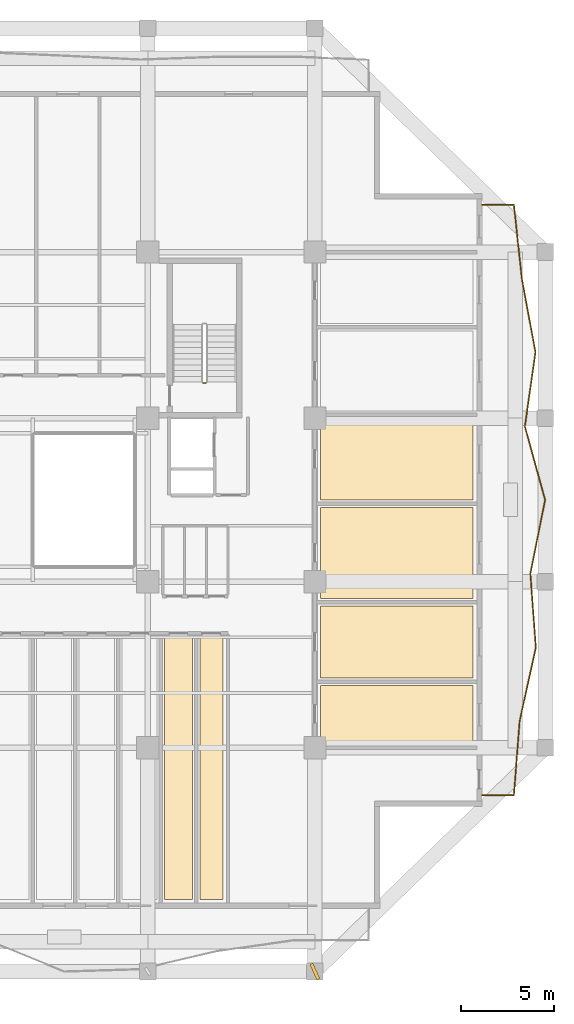
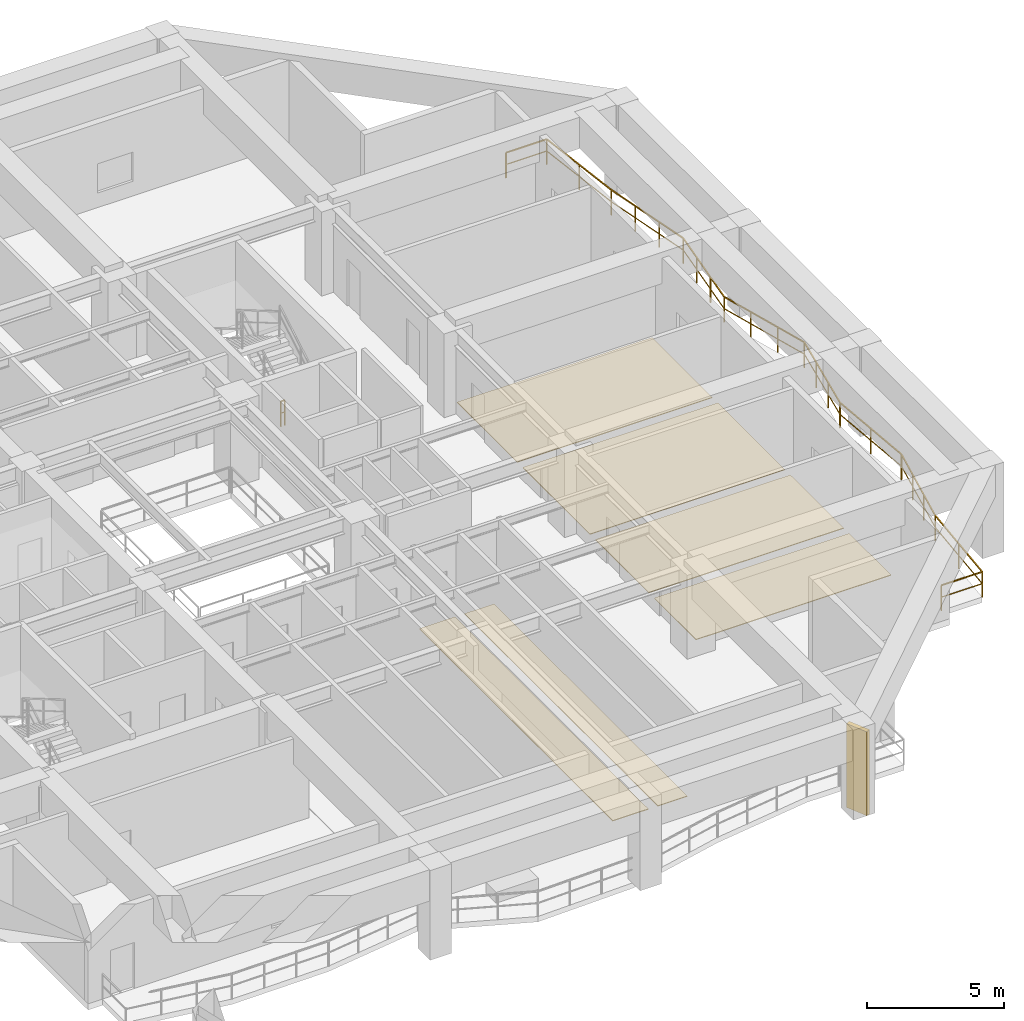
# One storey, part 10 of 13: 6 coverings, 2 railings, 1 shading device.
"""IFC4 building model written with IfcOpenShell, lengths in metres."""

from ifc_helpers import new_model, si_unit, direction, frame, origin, origin_2d, place, context, subcontext, project, spatial, polyline, rectangle, outline, extrude, material, layer, layer_set, type_object, element, save


model = new_model("IFC4")

# Units and contexts
model_context = context("Model", 3, precision=1e-05, world=origin(), true_north=direction((0.0, 1.0)))
body_context = subcontext(model_context, "Body", "Model", "MODEL_VIEW")
ifc_project = project(units=[si_unit("LENGTHUNIT", "METRE"), si_unit("AREAUNIT", "SQUARE_METRE"), si_unit("VOLUMEUNIT", "CUBIC_METRE"), si_unit("PLANEANGLEUNIT", "RADIAN"), si_unit("MASSUNIT", "GRAM", prefix="KILO")], contexts=[model_context])

# Site, building, storey
site_placement = place(None, origin())
site = spatial("IfcSite", under=ifc_project, at=site_placement, CompositionType="ELEMENT")
building_placement = place(site_placement, origin())
building = spatial("IfcBuilding", under=site, at=building_placement, Name="Kundavana Baori Tower", CompositionType="ELEMENT")
storey_placement = place(building_placement, frame((0.0, 0.0, 78.0)))
storey = spatial("IfcBuildingStorey", under=building, at=storey_placement, Name="L18", CompositionType="ELEMENT", Elevation=78.0)

# Coverings
ifc_material_1 = material(Name="Honed Kota Stone and Terrazzo Flooring", Category="masonry")
ifc_layer = layer(ifc_material_1, 0.030029296875, Name="COV-INT-FLR")
ifc_layer_set = layer_set([ifc_layer], Name="Honed Kota Stone and Terrazzo Flooring")
covering_type = type_object("IfcCoveringType", Name="COV-INT-FLR", PredefinedType="FLOORING", material=ifc_layer_set)
covering_1_placement = place(storey_placement, origin())
element("IfcCovering", 1, at=covering_1_placement, inside=storey, type_object=covering_type, Name="L18 Room Finished Stone Flooring 11", PredefinedType="FLOORING", context=body_context, shape_type="SweptSolid", body=[
    extrude(outline(polyline([(34.699951171875, 7.080078125), (36.199951171875, 7.080078125), (36.199951171875, 21.199951171875), (34.699951171875, 21.199951171875), (34.699951171875, 7.080078125)])), origin(), (0.0, 0.0, 1.0), 0.030029296875),
])
covering_2_placement = place(storey_placement, origin())
element("IfcCovering", 2, at=covering_2_placement, inside=storey, type_object=covering_type, Name="L18 Room Finished Stone Flooring 12", PredefinedType="FLOORING", context=body_context, shape_type="SweptSolid", body=[
    extrude(outline(polyline([(36.60009765625, 7.080078125), (37.840087890625, 7.080078125), (37.840087890625, 21.199951171875), (36.60009765625, 21.199951171875), (36.60009765625, 7.080078125)])), origin(), (0.0, 0.0, 1.0), 0.030029296875),
])
covering_3_placement = place(storey_placement, origin())
element("IfcCovering", 3, at=covering_3_placement, inside=storey, type_object=covering_type, Name="L18 Room Finished Stone Flooring 13", PredefinedType="FLOORING", context=body_context, shape_type="SweptSolid", body=[
    extrude(outline(polyline([(43.10009765625, 15.550048828125), (51.320068359375, 15.550048828125), (51.320068359375, 18.60009765625), (43.10009765625, 18.60009765625), (43.10009765625, 15.550048828125)])), origin(), (0.0, 0.0, 1.0), 0.030029296875),
])
covering_4_placement = place(storey_placement, origin())
element("IfcCovering", 4, at=covering_4_placement, inside=storey, type_object=covering_type, Name="L18 Room Finished Stone Flooring 14", PredefinedType="FLOORING", context=body_context, shape_type="SweptSolid", body=[
    extrude(outline(polyline([(43.10009765625, 19.0), (51.320068359375, 19.0), (51.320068359375, 22.89990234375), (43.10009765625, 22.89990234375), (43.10009765625, 19.0)])), origin(), (0.0, 0.0, 1.0), 0.030029296875),
])
covering_5_placement = place(storey_placement, origin())
element("IfcCovering", 5, at=covering_5_placement, inside=storey, type_object=covering_type, Name="L18 Room Finished Stone Flooring 15", PredefinedType="FLOORING", context=body_context, shape_type="SweptSolid", body=[
    extrude(outline(polyline([(43.10009765625, 23.300048828125), (51.320068359375, 23.300048828125), (51.320068359375, 28.199951171875), (43.10009765625, 28.199951171875), (43.10009765625, 23.300048828125)])), origin(), (0.0, 0.0, 1.0), 0.030029296875),
])
covering_6_placement = place(storey_placement, origin())
element("IfcCovering", 6, at=covering_6_placement, inside=storey, type_object=covering_type, Name="L18 Room Finished Stone Flooring 16", PredefinedType="FLOORING", context=body_context, shape_type="SweptSolid", body=[
    extrude(outline(polyline([(43.10009765625, 28.60009765625), (51.320068359375, 28.60009765625), (51.320068359375, 33.0), (43.10009765625, 33.0), (43.10009765625, 28.60009765625)])), origin(), (0.0, 0.0, 1.0), 0.030029296875),
])

# Railings
ifc_material_2 = material(Name="Architectural Patinated Bronze Metalwork")
railing_type_1 = type_object("IfcRailingType", Name="RL-BAL-1150", PredefinedType="BALUSTRADE", material=ifc_material_2)
railing_1_placement = place(storey_placement, frame((51.800048828125, 44.5, 0.0)))
element("IfcRailing", 7, at=railing_1_placement, inside=storey, type_object=railing_type_1, Name="L18 Loggia Balcony Balustrade E", PredefinedType="BALUSTRADE", context=body_context, shape_type="SweptSolid", body=[
    extrude(rectangle(XDim=0.048095703125, YDim=0.048095703125, at=origin_2d()), frame((0.0, 0.0, 1.1259765625), z_axis=(1.0, 0.0, 0.0), x_axis=(0.0, 1.0, 0.0)), (0.0, 0.0, 1.0), 1.719970703125),
    extrude(rectangle(XDim=0.03125, YDim=0.03125, at=origin_2d()), frame((0.0, 0.0, 0.597900390625), z_axis=(1.0, 0.0, 0.0), x_axis=(0.0, 1.0, 0.0)), (0.0, 0.0, 1.0), 1.719970703125),
    extrude(rectangle(XDim=0.048095703125, YDim=0.048095703125, at=origin_2d()), frame((1.719970703125, 0.0, 1.1259765625), z_axis=(0.10680479883, -0.994280008321, 0.0), x_axis=(0.994280008321, 0.10680479883, 0.0)), (0.0, 0.0, 1.0), 3.998046875),
    extrude(rectangle(XDim=0.03125, YDim=0.03125, at=origin_2d()), frame((1.719970703125, 0.0, 0.597900390625), z_axis=(0.10680479883, -0.994280008321, 0.0), x_axis=(0.994280008321, 0.10680479883, 0.0)), (0.0, 0.0, 1.0), 3.998046875),
    extrude(rectangle(XDim=0.048095703125, YDim=0.048095703125, at=origin_2d()), frame((2.14697265625, -3.97509765625, 1.1259765625), z_axis=(0.182322812683, -0.983238725832, 0.0), x_axis=(0.983238725832, 0.182322812683, 0.0)), (0.0, 0.0, 1.0), 4.042724609375),
    extrude(rectangle(XDim=0.03125, YDim=0.03125, at=origin_2d()), frame((2.14697265625, -3.97509765625, 0.597900390625), z_axis=(0.182322812683, -0.983238725832, 0.0), x_axis=(0.983238725832, 0.182322812683, 0.0)), (0.0, 0.0, 1.0), 4.042724609375),
    extrude(rectangle(XDim=0.048095703125, YDim=0.048095703125, at=origin_2d()), frame((2.884033203125, -7.949951171875, 1.1259765625), z_axis=(-0.142434065639, -0.989804292245, 0.0), x_axis=(0.989804292245, -0.142434065639, 0.0)), (0.0, 0.0, 1.0), 4.01611328125),
    extrude(rectangle(XDim=0.03125, YDim=0.03125, at=origin_2d()), frame((2.884033203125, -7.949951171875, 0.597900390625), z_axis=(-0.142434065639, -0.989804292245, 0.0), x_axis=(0.989804292245, -0.142434065639, 0.0)), (0.0, 0.0, 1.0), 4.01611328125),
    extrude(rectangle(XDim=0.048095703125, YDim=0.048095703125, at=origin_2d()), frame((2.31201171875, -11.925048828125, 1.1259765625), z_axis=(0.263984518347, -0.964526917236, 0.0), x_axis=(0.964526917236, 0.263984518347, 0.0)), (0.0, 0.0, 1.0), 4.12109375),
    extrude(rectangle(XDim=0.03125, YDim=0.03125, at=origin_2d()), frame((2.31201171875, -11.925048828125, 0.597900390625), z_axis=(0.263984518347, -0.964526917236, 0.0), x_axis=(0.964526917236, 0.263984518347, 0.0)), (0.0, 0.0, 1.0), 4.12109375),
    extrude(rectangle(XDim=0.048095703125, YDim=0.048095703125, at=origin_2d()), frame((3.39990234375, -15.89990234375, 1.1259765625), z_axis=(-0.195629631482, -0.980677850921, 0.0), x_axis=(0.980677850921, -0.195629631482, 0.0)), (0.0, 0.0, 1.0), 4.053466796875),
    extrude(rectangle(XDim=0.03125, YDim=0.03125, at=origin_2d()), frame((3.39990234375, -15.89990234375, 0.597900390625), z_axis=(-0.195629631482, -0.980677850921, 0.0), x_axis=(0.980677850921, -0.195629631482, 0.0)), (0.0, 0.0, 1.0), 4.053466796875),
    extrude(rectangle(XDim=0.048095703125, YDim=0.048095703125, at=origin_2d()), frame((2.60693359375, -19.875, 1.1259765625), z_axis=(0.074780812793, -0.997199995005, 0.0), x_axis=(0.997199995005, 0.074780812793, 0.0)), (0.0, 0.0, 1.0), 3.986328125),
    extrude(rectangle(XDim=0.03125, YDim=0.03125, at=origin_2d()), frame((2.60693359375, -19.875, 0.597900390625), z_axis=(0.074780812793, -0.997199995005, 0.0), x_axis=(0.997199995005, 0.074780812793, 0.0)), (0.0, 0.0, 1.0), 3.986328125),
    extrude(rectangle(XDim=0.048095703125, YDim=0.048095703125, at=origin_2d()), frame((2.905029296875, -23.85009765625, 1.1259765625), z_axis=(-0.215958805631, -0.976402475555, 0.0), x_axis=(0.976402475555, -0.215958805631, 0.0)), (0.0, 0.0, 1.0), 4.07080078125),
    extrude(rectangle(XDim=0.03125, YDim=0.03125, at=origin_2d()), frame((2.905029296875, -23.85009765625, 0.597900390625), z_axis=(-0.215958805631, -0.976402475555, 0.0), x_axis=(0.976402475555, -0.215958805631, 0.0)), (0.0, 0.0, 1.0), 4.07080078125),
    extrude(rectangle(XDim=0.048095703125, YDim=0.048095703125, at=origin_2d()), frame((2.02587890625, -27.824951171875, 1.1259765625), z_axis=(-0.076729278358, -0.997051963462, 0.0), x_axis=(0.997051963462, -0.076729278358, 0.0)), (0.0, 0.0, 1.0), 3.98681640625),
    extrude(rectangle(XDim=0.03125, YDim=0.03125, at=origin_2d()), frame((2.02587890625, -27.824951171875, 0.597900390625), z_axis=(-0.076729278358, -0.997051963462, 0.0), x_axis=(0.997051963462, -0.076729278358, 0.0)), (0.0, 0.0, 1.0), 3.98681640625),
    extrude(rectangle(XDim=0.048095703125, YDim=0.048095703125, at=origin_2d()), frame((1.719970703125, -31.800048828125, 1.1259765625), z_axis=(-1.0, 0.0, 0.0), x_axis=(0.0, -1.0, 0.0)), (0.0, 0.0, 1.0), 1.719970703125),
    extrude(rectangle(XDim=0.03125, YDim=0.03125, at=origin_2d()), frame((1.719970703125, -31.800048828125, 0.597900390625), z_axis=(-1.0, 0.0, 0.0), x_axis=(0.0, -1.0, 0.0)), (0.0, 0.0, 1.0), 1.719970703125),
    extrude(rectangle(XDim=0.0419921875, YDim=0.0419921875, at=origin_2d()), origin(), (0.0, 0.0, 1.0), 1.101806640625),
    extrude(rectangle(XDim=0.0419921875, YDim=0.0419921875, at=origin_2d()), frame((1.719970703125, 0.0, 0.0)), (0.0, 0.0, 1.0), 1.101806640625),
    extrude(rectangle(XDim=0.0419921875, YDim=0.0419921875, at=origin_2d()), frame((1.93359375, -1.987548828125, 0.0)), (0.0, 0.0, 1.0), 1.101806640625),
    extrude(rectangle(XDim=0.0419921875, YDim=0.0419921875, at=origin_2d()), frame((2.14697265625, -3.97509765625, 0.0)), (0.0, 0.0, 1.0), 1.101806640625),
    extrude(rectangle(XDim=0.0419921875, YDim=0.0419921875, at=origin_2d()), frame((2.392578125, -5.300048828125, 0.0)), (0.0, 0.0, 1.0), 1.101806640625),
    extrude(rectangle(XDim=0.0419921875, YDim=0.0419921875, at=origin_2d()), frame((2.638427734375, -6.625, 0.0)), (0.0, 0.0, 1.0), 1.101806640625),
    extrude(rectangle(XDim=0.0419921875, YDim=0.0419921875, at=origin_2d()), frame((2.884033203125, -7.949951171875, 0.0)), (0.0, 0.0, 1.0), 1.101806640625),
    extrude(rectangle(XDim=0.0419921875, YDim=0.0419921875, at=origin_2d()), frame((2.693359375, -9.27490234375, 0.0)), (0.0, 0.0, 1.0), 1.101806640625),
    extrude(rectangle(XDim=0.0419921875, YDim=0.0419921875, at=origin_2d()), frame((2.502685546875, -10.60009765625, 0.0)), (0.0, 0.0, 1.0), 1.101806640625),
    extrude(rectangle(XDim=0.0419921875, YDim=0.0419921875, at=origin_2d()), frame((2.31201171875, -11.925048828125, 0.0)), (0.0, 0.0, 1.0), 1.101806640625),
    extrude(rectangle(XDim=0.0419921875, YDim=0.0419921875, at=origin_2d()), frame((2.674560546875, -13.25, 0.0)), (0.0, 0.0, 1.0), 1.101806640625),
    extrude(rectangle(XDim=0.0419921875, YDim=0.0419921875, at=origin_2d()), frame((3.037353515625, -14.574951171875, 0.0)), (0.0, 0.0, 1.0), 1.101806640625),
    extrude(rectangle(XDim=0.0419921875, YDim=0.0419921875, at=origin_2d()), frame((3.39990234375, -15.89990234375, 0.0)), (0.0, 0.0, 1.0), 1.101806640625),
    extrude(rectangle(XDim=0.0419921875, YDim=0.0419921875, at=origin_2d()), frame((3.135498046875, -17.224853515625, 0.0)), (0.0, 0.0, 1.0), 1.101806640625),
    extrude(rectangle(XDim=0.0419921875, YDim=0.0419921875, at=origin_2d()), frame((2.871337890625, -18.550048828125, 0.0)), (0.0, 0.0, 1.0), 1.101806640625),
    extrude(rectangle(XDim=0.0419921875, YDim=0.0419921875, at=origin_2d()), frame((2.60693359375, -19.875, 0.0)), (0.0, 0.0, 1.0), 1.101806640625),
    extrude(rectangle(XDim=0.0419921875, YDim=0.0419921875, at=origin_2d()), frame((2.755859375, -21.862548828125, 0.0)), (0.0, 0.0, 1.0), 1.101806640625),
    extrude(rectangle(XDim=0.0419921875, YDim=0.0419921875, at=origin_2d()), frame((2.905029296875, -23.85009765625, 0.0)), (0.0, 0.0, 1.0), 1.101806640625),
    extrude(rectangle(XDim=0.0419921875, YDim=0.0419921875, at=origin_2d()), frame((2.612060546875, -25.175048828125, 0.0)), (0.0, 0.0, 1.0), 1.101806640625),
    extrude(rectangle(XDim=0.0419921875, YDim=0.0419921875, at=origin_2d()), frame((2.31884765625, -26.5, 0.0)), (0.0, 0.0, 1.0), 1.101806640625),
    extrude(rectangle(XDim=0.0419921875, YDim=0.0419921875, at=origin_2d()), frame((2.02587890625, -27.824951171875, 0.0)), (0.0, 0.0, 1.0), 1.101806640625),
    extrude(rectangle(XDim=0.0419921875, YDim=0.0419921875, at=origin_2d()), frame((1.873046875, -29.8125, 0.0)), (0.0, 0.0, 1.0), 1.101806640625),
    extrude(rectangle(XDim=0.0419921875, YDim=0.0419921875, at=origin_2d()), frame((1.719970703125, -31.800048828125, 0.0)), (0.0, 0.0, 1.0), 1.101806640625),
    extrude(rectangle(XDim=0.0419921875, YDim=0.0419921875, at=origin_2d()), frame((0.0, -31.800048828125, 0.0)), (0.0, 0.0, 1.0), 1.101806640625),
])
ifc_material_3 = material(Name="Architectural Patinated Bronze Metalwork")
railing_type_2 = type_object("IfcRailingType", Name="RL-GRD-1150", PredefinedType="GUARDRAIL", material=ifc_material_3)
railing_2_placement = place(storey_placement, frame((36.929931640625, 34.89990234375, 0.0)))
element("IfcRailing", 8, at=railing_2_placement, inside=storey, type_object=railing_type_2, Name="L18 ST3 stair guard 4", PredefinedType="GUARDRAIL", context=body_context, shape_type="SweptSolid", body=[
    extrude(rectangle(XDim=0.048095703125, YDim=0.048095703125, at=origin_2d()), frame((0.0, 0.0, 1.1259765625), z_axis=(-1.0, 0.0, 0.0), x_axis=(0.0, -1.0, 0.0)), (0.0, 0.0, 1.0), 0.159912109375),
    extrude(rectangle(XDim=0.03125, YDim=0.03125, at=origin_2d()), frame((0.0, 0.0, 0.597900390625), z_axis=(-1.0, 0.0, 0.0), x_axis=(0.0, -1.0, 0.0)), (0.0, 0.0, 1.0), 0.159912109375),
    extrude(rectangle(XDim=0.0419921875, YDim=0.0419921875, at=origin_2d()), origin(), (0.0, 0.0, 1.0), 1.101806640625),
    extrude(rectangle(XDim=0.0419921875, YDim=0.0419921875, at=origin_2d()), frame((-0.159912109375, 0.0, 0.0)), (0.0, 0.0, 1.0), 1.101806640625),
])

# Shading device
ifc_material_4 = material(Name="Red-Buff Dholpur Sandstone Cladding on Concrete C40/50", Category="masonry")
shading_device_type = type_object("IfcShadingDeviceType", Name="SHD-FIN-920", PredefinedType="JALOUSIE", material=ifc_material_4)
shading_device_placement = place(storey_placement, frame((42.800048828125, 3.199951171875, 0.0), z_axis=(0.0, 0.0, 1.0), x_axis=(0.911259575503, 0.411832473288, 0.0)))
element("IfcShadingDevice", 9, at=shading_device_placement, inside=storey, type_object=shading_device_type, Name="L18 Sweeping Dholpur Sandstone Facade Fin 4", PredefinedType="JALOUSIE", context=body_context, shape_type="SweptSolid", body=[
    extrude(rectangle(XDim=0.179931640625, YDim=0.919921875, at=origin_2d()), origin(), (0.0, 0.0, 1.0), 3.739990234375),
])

save(model, "model.ifc")
